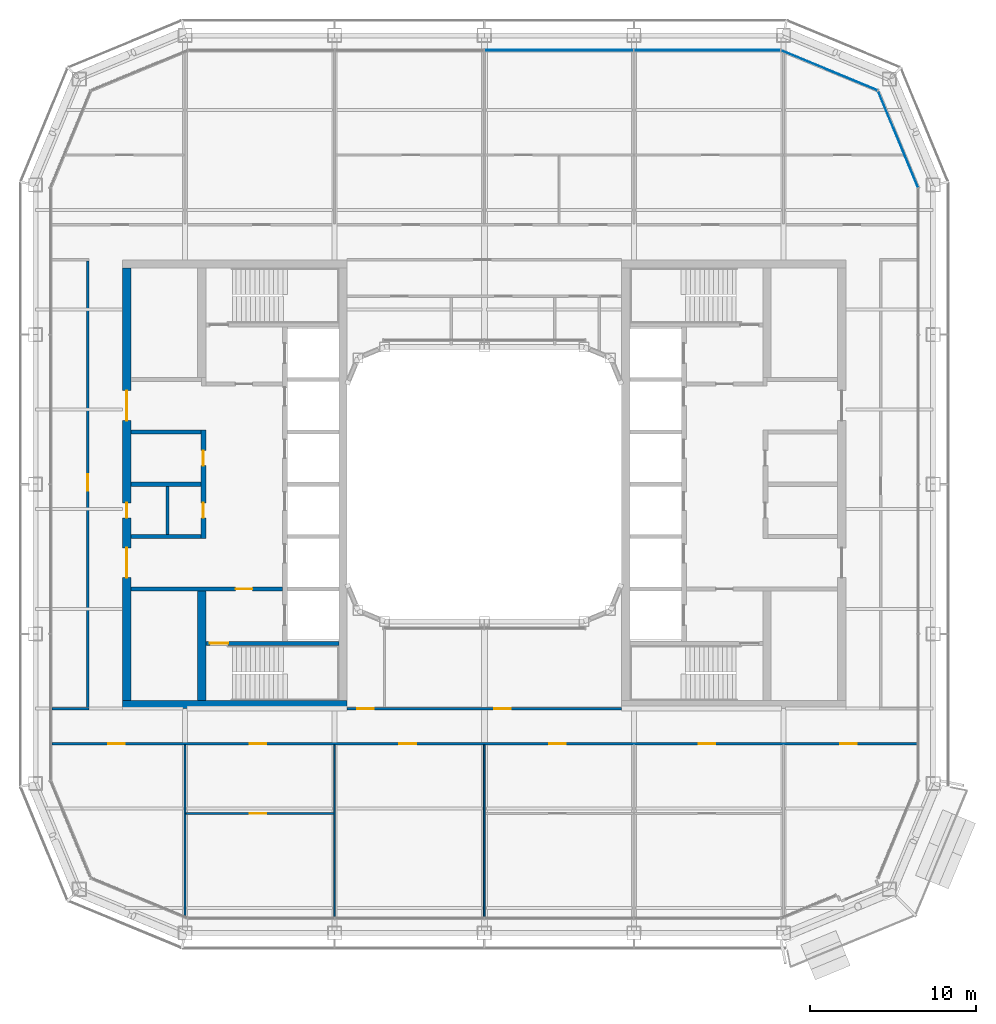
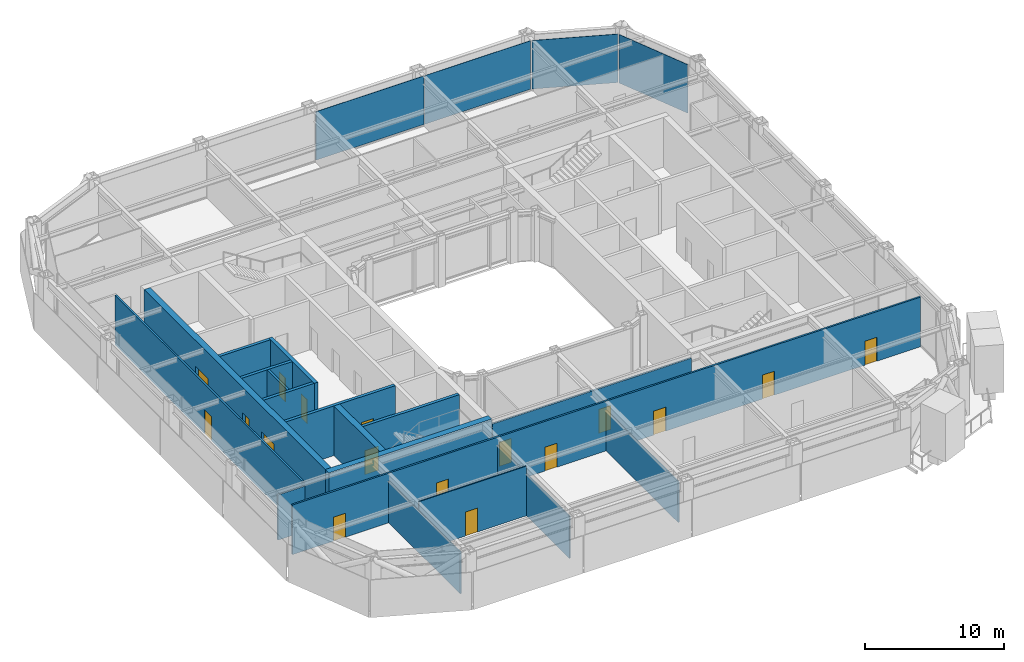
# One storey, part 12 of 22: 18 walls, 17 doors, 4 plates, 17 openings, 3 elements without a shape of their own.
"""IFC4 building model written with IfcOpenShell, lengths in metres."""

from ifc_helpers import new_model, si_unit, direction, frame, frame_2d, origin, origin_2d, place, context, subcontext, project, spatial, rectangle, extrude, material, layer, layer_set, type_object, element, fill, aggregate, save


model = new_model("IFC4")

# Units and contexts
model_context = context("Model", 3, precision=1e-05, world=origin(), true_north=direction((0.0, 1.0)))
body_context = subcontext(model_context, "Body", "Model", "MODEL_VIEW")
ifc_project = project(units=[si_unit("LENGTHUNIT", "METRE"), si_unit("AREAUNIT", "SQUARE_METRE"), si_unit("VOLUMEUNIT", "CUBIC_METRE"), si_unit("PLANEANGLEUNIT", "RADIAN"), si_unit("MASSUNIT", "GRAM", prefix="KILO")], contexts=[model_context])

# Site, building, storey
site_placement = place(None, origin())
site = spatial("IfcSite", under=ifc_project, at=site_placement, CompositionType="ELEMENT")
building_placement = place(site_placement, origin())
building = spatial("IfcBuilding", under=site, at=building_placement, Name="Siwar Civic Tower", CompositionType="ELEMENT")
storey_placement = place(building_placement, frame((0.0, 0.0, 201.699951171875)))
storey = spatial("IfcBuildingStorey", under=building, at=storey_placement, Name="L43", CompositionType="ELEMENT", Elevation=201.699951171875)

# Curtain wall, plates
ifc_material_1 = material(Name="Aluminium and glass", Category="aluminium")
ifc_layer_1 = layer(ifc_material_1, 0.179931640625)
ifc_layer_set_1 = layer_set([ifc_layer_1], Name="Aluminium and glass")
curtain_wall_type_1 = type_object("IfcCurtainWallType", Name="ENV-CW-C", PredefinedType="NOTDEFINED", material=ifc_layer_set_1)
curtain_wall_1_placement = place(storey_placement, origin())
curtain_wall_1 = element("IfcCurtainWall", 1, at=curtain_wall_1_placement, inside=storey, type_object=curtain_wall_type_1, Name="Curtain wall C N", PredefinedType="NOTDEFINED")
ifc_material_2 = material(Name="Glass clear laminated", Category="glass")
ifc_layer_2 = layer(ifc_material_2, 0.031982421875)
ifc_layer_set_2 = layer_set([ifc_layer_2], Name="Glass clear laminated")
plate_type_1 = type_object("IfcPlateType", Name="ENV-PANEL-C", PredefinedType="CURTAIN_PANEL", material=ifc_layer_set_2)
plate_1_placement = place(storey_placement, frame((13.410400390625, 26.10009765625, 0.10009765625), z_axis=(0.0, 0.0, 1.0), x_axis=(-1.0, 0.0, 0.0)))
plate_1 = element("IfcPlate", 2, at=plate_1_placement, type_object=plate_type_1, Name="Curtain panel C N 1", PredefinedType="CURTAIN_PANEL", context=body_context, shape_type="SweptSolid", body=[
    extrude(rectangle(XDim=8.760986328125, YDim=0.031982421875, at=origin_2d()), origin(), (0.0, 0.0, 1.0), 4.25),
])
plate_2_placement = place(storey_placement, frame((4.5, 26.10009765625, 0.10009765625), z_axis=(0.0, 0.0, 1.0), x_axis=(-1.0, 0.0, 0.0)))
plate_2 = element("IfcPlate", 3, at=plate_2_placement, type_object=plate_type_1, Name="Curtain panel C N 2", PredefinedType="CURTAIN_PANEL", context=body_context, shape_type="SweptSolid", body=[
    extrude(rectangle(XDim=8.93994140625, YDim=0.031982421875, at=origin_2d()), origin(), (0.0, 0.0, 1.0), 4.25),
])
aggregate(curtain_wall_1, [plate_1, plate_2])

# Curtain wall, plate
ifc_material_3 = material(Name="Aluminium clad insulated panel", Category="aluminium")
ifc_layer_3 = layer(ifc_material_3, 0.179931640625)
ifc_layer_set_3 = layer_set([ifc_layer_3], Name="Aluminium clad insulated panel")
curtain_wall_type_2 = type_object("IfcCurtainWallType", Name="ENV-CW-CX", PredefinedType="NOTDEFINED", material=ifc_layer_set_3)
curtain_wall_2_placement = place(storey_placement, origin())
curtain_wall_2 = element("IfcCurtainWall", 4, at=curtain_wall_2_placement, inside=storey, type_object=curtain_wall_type_2, Name="Curtain wall C NE1", PredefinedType="NOTDEFINED")
ifc_material_4 = material(Name="Aluminium clad insulated panel", Category="aluminium")
ifc_layer_4 = layer(ifc_material_4, 0.031982421875)
ifc_layer_set_4 = layer_set([ifc_layer_4], Name="Aluminium clad insulated panel")
plate_type_2 = type_object("IfcPlateType", Name="ENV-PANEL-CX", PredefinedType="CURTAIN_PANEL", material=ifc_layer_set_4)
plate_3_placement = place(storey_placement, frame((24.90185546875, 20.71337890625, 0.10009765625), z_axis=(0.0, 0.0, 1.0), x_axis=(-0.382683432365, 0.923879532511, 0.0)))
plate_3 = element("IfcPlate", 5, at=plate_3_placement, type_object=plate_type_2, Name="Curtain panel C NE1 1", PredefinedType="CURTAIN_PANEL", context=body_context, shape_type="SweptSolid", body=[
    extrude(rectangle(XDim=6.20166015625, YDim=0.031982421875, at=origin_2d()), origin(), (0.0, 0.0, 1.0), 4.25),
])
aggregate(curtain_wall_2, [plate_3])

curtain_wall_3_placement = place(storey_placement, origin())
curtain_wall_3 = element("IfcCurtainWall", 6, at=curtain_wall_3_placement, inside=storey, type_object=curtain_wall_type_2, Name="Curtain wall C NE2", PredefinedType="NOTDEFINED")
plate_4_placement = place(storey_placement, frame((20.78271484375, 24.873291015625, 0.10009765625), z_axis=(0.0, 0.0, 1.0), x_axis=(-0.923879532511, 0.382683432365, 0.0)))
plate_4 = element("IfcPlate", 7, at=plate_4_placement, type_object=plate_type_2, Name="Curtain panel C NE2 1", PredefinedType="CURTAIN_PANEL", context=body_context, shape_type="SweptSolid", body=[
    extrude(rectangle(XDim=6.20166015625, YDim=0.031982421875, at=origin_2d()), origin(), (0.0, 0.0, 1.0), 4.25),
])
aggregate(curtain_wall_3, [plate_4])

# Wall
ifc_material_5 = material(Name="Gypsum board on steel studs", Category="steel")
ifc_layer_5 = layer(ifc_material_5, 0.199951171875)
ifc_layer_set_5 = layer_set([ifc_layer_5], Name="Gypsum board on steel studs")
wall_type_1 = type_object("IfcWallType", Name="CORE-PARTITION-200", PredefinedType="PARTITIONING", material=ifc_layer_set_5)
wall_1_placement = place(storey_placement, frame((-19.050048828125, -3.02490234375, 0.0), z_axis=(0.0, 0.0, 1.0), x_axis=(0.0, 1.0, 0.0)))
element("IfcWall", 8, at=wall_1_placement, inside=storey, type_object=wall_type_1, Name="Core partition W", PredefinedType="PARTITIONING", context=body_context, shape_type="SweptSolid", body=[
    extrude(rectangle(XDim=2.89990234375, YDim=0.199951171875, at=frame_2d((1.449951171875, 0.0))), origin(), (0.0, 0.0, 1.0), 4.35009765625),
])

# Wall, opening, door
ifc_material_6 = material(Name="Concrete C60/75", Category="concrete")
ifc_layer_6 = layer(ifc_material_6, 0.25)
ifc_layer_set_6 = layer_set([ifc_layer_6], Name="Concrete C60/75")
wall_type_2 = type_object("IfcWallType", Name="CORE-WALL-RC250", PredefinedType="SHEAR", material=ifc_layer_set_6)
wall_2_placement = place(storey_placement, frame((-12.14990234375, -6.300048828125, 0.0), z_axis=(0.0, 0.0, 1.0), x_axis=(-1.0, 0.0, 0.0)))
wall_2 = element("IfcWall", 9, at=wall_2_placement, inside=storey, type_object=wall_type_2, Name="Core wall W", PredefinedType="SHEAR", context=body_context, shape_type="SweptSolid", body=[
    extrude(rectangle(XDim=9.10009765625, YDim=0.25, at=frame_2d((4.550048828125, 0.0))), origin(), (0.0, 0.0, 1.0), 4.35009765625),
])
opening_1_placement = place(wall_2_placement, frame((1.800048828125, 0.0, 0.0)))
opening_1 = element("IfcOpeningElement", 10, at=opening_1_placement, cuts=wall_2, Name="Opening L43-CW02", PredefinedType="OPENING", context=body_context, shape_type="SweptSolid", body=[
    extrude(rectangle(XDim=1.0, YDim=2.10009765625, at=frame_2d((0.5, 1.050048828125))), frame((0.0, 0.135009765625, 0.0), z_axis=(0.0, -1.0, 0.0), x_axis=(1.0, 0.0, 0.0)), (0.0, 0.0, 1.0), 0.27001953125),
])
ifc_material_7 = material(Name="Steel door leaf", Category="steel")
door_type_1 = type_object("IfcDoorType", Name="CORE-DOOR-FD30S", OperationType="SINGLE_SWING_LEFT", PredefinedType="DOOR", material=ifc_material_7)
door_1_placement = place(opening_1_placement, origin())
door_1 = element("IfcDoor", 11, at=door_1_placement, inside=storey, type_object=door_type_1, Name="Service lobby door L43-CW02", OperationType="SINGLE_SWING_RIGHT", OverallHeight=2.10009765625, OverallWidth=1.0, PredefinedType="DOOR", context=body_context, shape_type="SweptSolid", body=[
    extrude(rectangle(XDim=1.0, YDim=2.10009765625, at=frame_2d((0.5, 1.050048828125))), frame((0.0, 0.02490234375, 0.0), z_axis=(0.0, -1.0, 0.0), x_axis=(1.0, 0.0, 0.0)), (0.0, 0.0, 1.0), 0.050048828125),
])
fill(opening_1, door_1)

# Walls
for number, where, z_axis, x_axis, name in (
    (12, (-17.050048828125, 0.0, 0.0), (0.0, 0.0, 1.0), (-1.0, 0.0, 0.0), "Core wall W"),
    (13, (-17.050048828125, 3.14990234375, 0.0), (0.0, 0.0, 1.0), (-1.0, 0.0, 0.0), "Core wall W"),
    (14, (-17.050048828125, -3.14990234375, 0.0), (0.0, 0.0, 1.0), (-1.0, 0.0, 0.0), "Core wall W"),
):
    element("IfcWall", number, at=place(storey_placement, frame(where, z_axis=z_axis, x_axis=x_axis)), inside=storey, type_object=wall_type_2, Name=name, PredefinedType="SHEAR", context=body_context, shape_type="SweptSolid", body=[
        extrude(rectangle(XDim=4.199951171875, YDim=0.25, at=frame_2d((2.10009765625, 0.0))), origin(), (0.0, 0.0, 1.0), 4.35009765625),
    ])

# Wall, opening, door
wall_3_placement = place(storey_placement, frame((-8.75, -9.574951171875, 0.0), z_axis=(0.0, 0.0, 1.0), x_axis=(-1.0, 0.0, 0.0)))
wall_3 = element("IfcWall", 15, at=wall_3_placement, inside=storey, type_object=wall_type_2, Name="Core wall W", PredefinedType="SHEAR", context=body_context, shape_type="SweptSolid", body=[
    extrude(rectangle(XDim=8.0, YDim=0.25, at=frame_2d((4.0, 0.0))), origin(), (0.0, 0.0, 1.0), 4.35009765625),
])
opening_2_placement = place(wall_3_placement, frame((6.64990234375, 0.0, 0.0)))
opening_2 = element("IfcOpeningElement", 16, at=opening_2_placement, cuts=wall_3, Name="Opening L43-CW04", PredefinedType="OPENING", context=body_context, shape_type="SweptSolid", body=[
    extrude(rectangle(XDim=1.10009765625, YDim=2.10009765625, at=frame_2d((0.550048828125, 1.050048828125))), frame((0.0, 0.135009765625, 0.0), z_axis=(0.0, -1.0, 0.0), x_axis=(1.0, 0.0, 0.0)), (0.0, 0.0, 1.0), 0.27001953125),
])
ifc_material_8 = material(Name="Steel door leaf", Category="steel")
door_type_2 = type_object("IfcDoorType", Name="CORE-DOOR-FD60S", OperationType="SINGLE_SWING_LEFT", PredefinedType="DOOR", material=ifc_material_8)
door_2_placement = place(opening_2_placement, origin())
door_2 = element("IfcDoor", 17, at=door_2_placement, inside=storey, type_object=door_type_2, Name="Stair door L43-CW04", OperationType="SINGLE_SWING_LEFT", OverallHeight=2.10009765625, OverallWidth=1.10009765625, PredefinedType="DOOR", context=body_context, shape_type="SweptSolid", body=[
    extrude(rectangle(XDim=1.10009765625, YDim=2.10009765625, at=frame_2d((0.550048828125, 1.050048828125))), frame((0.0, 0.02490234375, 0.0), z_axis=(0.0, -1.0, 0.0), x_axis=(1.0, 0.0, 0.0)), (0.0, 0.0, 1.0), 0.050048828125),
])
fill(opening_2, door_2)

# Wall, openings, doors
ifc_material_9 = material(Name="Concrete C60/75", Category="concrete")
ifc_layer_7 = layer(ifc_material_9, 0.300048828125)
ifc_layer_set_7 = layer_set([ifc_layer_7], Name="Concrete C60/75")
wall_type_3 = type_object("IfcWallType", Name="CORE-WALL-RC300", PredefinedType="SHEAR", material=ifc_layer_set_7)
wall_4_placement = place(storey_placement, frame((-16.89990234375, -3.27490234375, 0.0), z_axis=(0.0, 0.0, 1.0), x_axis=(0.0, 1.0, 0.0)))
wall_4 = element("IfcWall", 18, at=wall_4_placement, inside=storey, type_object=wall_type_3, Name="Core wall W", PredefinedType="SHEAR", context=body_context, shape_type="SweptSolid", body=[
    extrude(rectangle(XDim=6.5498046875, YDim=0.300048828125, at=frame_2d((3.27490234375, 0.0))), origin(), (0.0, 0.0, 1.0), 4.35009765625),
])
opening_3_placement = place(wall_4_placement, frame((1.25, 0.0, 0.0)))
opening_3 = element("IfcOpeningElement", 19, at=opening_3_placement, cuts=wall_4, Name="Opening L43-CW13", PredefinedType="OPENING", context=body_context, shape_type="SweptSolid", body=[
    extrude(rectangle(XDim=0.89990234375, YDim=2.10009765625, at=frame_2d((0.449951171875, 1.050048828125))), frame((0.0, 0.16015625, 0.0), z_axis=(0.0, -1.0, 0.0), x_axis=(1.0, 0.0, 0.0)), (0.0, 0.0, 1.0), 0.320068359375),
])
opening_4_placement = place(wall_4_placement, frame((4.39990234375, 0.0, 0.0)))
opening_4 = element("IfcOpeningElement", 20, at=opening_4_placement, cuts=wall_4, Name="Opening L43-CW15", PredefinedType="OPENING", context=body_context, shape_type="SweptSolid", body=[
    extrude(rectangle(XDim=0.89990234375, YDim=2.10009765625, at=frame_2d((0.449951171875, 1.050048828125))), frame((0.0, 0.16015625, 0.0), z_axis=(0.0, -1.0, 0.0), x_axis=(1.0, 0.0, 0.0)), (0.0, 0.0, 1.0), 0.320068359375),
])
ifc_material_10 = material(Name="Steel door leaf", Category="steel")
door_type_3 = type_object("IfcDoorType", Name="CORE-DOOR-ROOM", OperationType="SINGLE_SWING_LEFT", PredefinedType="DOOR", material=ifc_material_10)
door_3_placement = place(opening_3_placement, origin())
door_3 = element("IfcDoor", 21, at=door_3_placement, inside=storey, type_object=door_type_3, Name="Core room door L43-CW13", OperationType="SINGLE_SWING_LEFT", OverallHeight=2.10009765625, OverallWidth=0.89990234375, PredefinedType="DOOR", context=body_context, shape_type="SweptSolid", body=[
    extrude(rectangle(XDim=0.89990234375, YDim=2.10009765625, at=frame_2d((0.449951171875, 1.050048828125))), frame((0.0, 0.02490234375, 0.0), z_axis=(0.0, -1.0, 0.0), x_axis=(1.0, 0.0, 0.0)), (0.0, 0.0, 1.0), 0.050048828125),
])
fill(opening_3, door_3)
door_4_placement = place(opening_4_placement, origin())
door_4 = element("IfcDoor", 22, at=door_4_placement, inside=storey, type_object=door_type_3, Name="Core room door L43-CW15", OperationType="SINGLE_SWING_RIGHT", OverallHeight=2.10009765625, OverallWidth=0.89990234375, PredefinedType="DOOR", context=body_context, shape_type="SweptSolid", body=[
    extrude(rectangle(XDim=0.89990234375, YDim=2.10009765625, at=frame_2d((0.449951171875, 1.050048828125))), frame((0.0, 0.02490234375, 0.0), z_axis=(0.0, -1.0, 0.0), x_axis=(1.0, 0.0, 0.0)), (0.0, 0.0, 1.0), 0.050048828125),
])
fill(opening_4, door_4)

ifc_material_11 = material(Name="Concrete C60/75", Category="concrete")
ifc_layer_8 = layer(ifc_material_11, 0.5)
ifc_layer_set_8 = layer_set([ifc_layer_8], Name="Concrete C60/75")
wall_type_4 = type_object("IfcWallType", Name="CORE-WALL-RC500", PredefinedType="SHEAR", material=ifc_layer_set_8)
wall_5_placement = place(storey_placement, frame((-21.5, -13.0, 0.0), z_axis=(0.0, 0.0, 1.0), x_axis=(0.0, 1.0, 0.0)))
wall_5 = element("IfcWall", 23, at=wall_5_placement, inside=storey, type_object=wall_type_4, Name="Core wall W", PredefinedType="SHEAR", context=body_context, shape_type="SweptSolid", body=[
    extrude(rectangle(XDim=26.0, YDim=0.5, at=frame_2d((13.0, 0.0))), origin(), (0.0, 0.0, 1.0), 4.35009765625),
])
opening_5_placement = place(wall_5_placement, frame((16.824951171875, 0.0, 0.0)))
opening_5 = element("IfcOpeningElement", 24, at=opening_5_placement, cuts=wall_5, Name="Opening L43-CW05", PredefinedType="OPENING", context=body_context, shape_type="SweptSolid", body=[
    extrude(rectangle(XDim=1.800048828125, YDim=2.10009765625, at=frame_2d((0.89990234375, 1.050048828125))), frame((0.0, 0.260009765625, 0.0), z_axis=(0.0, -1.0, 0.0), x_axis=(1.0, 0.0, 0.0)), (0.0, 0.0, 1.0), 0.52001953125),
])
opening_6_placement = place(wall_5_placement, frame((7.375, 0.0, 0.0)))
opening_6 = element("IfcOpeningElement", 25, at=opening_6_placement, cuts=wall_5, Name="Opening L43-CW06", PredefinedType="OPENING", context=body_context, shape_type="SweptSolid", body=[
    extrude(rectangle(XDim=1.800048828125, YDim=2.10009765625, at=frame_2d((0.89990234375, 1.050048828125))), frame((0.0, 0.260009765625, 0.0), z_axis=(0.0, -1.0, 0.0), x_axis=(1.0, 0.0, 0.0)), (0.0, 0.0, 1.0), 0.52001953125),
])
opening_7_placement = place(wall_5_placement, frame((10.97509765625, 0.0, 0.0)))
opening_7 = element("IfcOpeningElement", 26, at=opening_7_placement, cuts=wall_5, Name="Opening L43-CW14", PredefinedType="OPENING", context=body_context, shape_type="SweptSolid", body=[
    extrude(rectangle(XDim=0.89990234375, YDim=2.10009765625, at=frame_2d((0.449951171875, 1.050048828125))), frame((0.0, 0.260009765625, 0.0), z_axis=(0.0, -1.0, 0.0), x_axis=(1.0, 0.0, 0.0)), (0.0, 0.0, 1.0), 0.52001953125),
])
ifc_material_12 = material(Name="Steel door leaf", Category="steel")
door_type_4 = type_object("IfcDoorType", Name="CORE-DOOR-PORT", OperationType="DOUBLE_DOOR_DOUBLE_SWING", PredefinedType="DOOR", material=ifc_material_12)
door_5_placement = place(opening_5_placement, origin())
door_5 = element("IfcDoor", 27, at=door_5_placement, inside=storey, type_object=door_type_4, Name="Core entrance door L43-CW05", OperationType="DOUBLE_DOOR_DOUBLE_SWING", OverallHeight=2.10009765625, OverallWidth=1.800048828125, PredefinedType="DOOR", context=body_context, shape_type="SweptSolid", body=[
    extrude(rectangle(XDim=1.800048828125, YDim=2.10009765625, at=frame_2d((0.89990234375, 1.050048828125))), frame((0.0, 0.02490234375, 0.0), z_axis=(0.0, -1.0, 0.0), x_axis=(1.0, 0.0, 0.0)), (0.0, 0.0, 1.0), 0.050048828125),
])
fill(opening_5, door_5)
door_6_placement = place(opening_6_placement, origin())
door_6 = element("IfcDoor", 28, at=door_6_placement, inside=storey, type_object=door_type_4, Name="Core entrance door L43-CW06", OperationType="DOUBLE_DOOR_DOUBLE_SWING", OverallHeight=2.10009765625, OverallWidth=1.800048828125, PredefinedType="DOOR", context=body_context, shape_type="SweptSolid", body=[
    extrude(rectangle(XDim=1.800048828125, YDim=2.10009765625, at=frame_2d((0.89990234375, 1.050048828125))), frame((0.0, 0.02490234375, 0.0), z_axis=(0.0, -1.0, 0.0), x_axis=(1.0, 0.0, 0.0)), (0.0, 0.0, 1.0), 0.050048828125),
])
fill(opening_6, door_6)
door_7_placement = place(opening_7_placement, origin())
door_7 = element("IfcDoor", 29, at=door_7_placement, inside=storey, type_object=door_type_3, Name="Core room door L43-CW14", OperationType="SINGLE_SWING_RIGHT", OverallHeight=2.10009765625, OverallWidth=0.89990234375, PredefinedType="DOOR", context=body_context, shape_type="SweptSolid", body=[
    extrude(rectangle(XDim=0.89990234375, YDim=2.10009765625, at=frame_2d((0.449951171875, 1.050048828125))), frame((0.0, 0.02490234375, 0.0), z_axis=(0.0, -1.0, 0.0), x_axis=(1.0, 0.0, 0.0)), (0.0, 0.0, 1.0), 0.050048828125),
])
fill(opening_7, door_7)

# Walls
wall_6_placement = place(storey_placement, frame((-17.0, -13.0, 0.0), z_axis=(0.0, 0.0, 1.0), x_axis=(0.0, 1.0, 0.0)))
element("IfcWall", 30, at=wall_6_placement, inside=storey, type_object=wall_type_4, Name="Core wall W", PredefinedType="SHEAR", context=body_context, shape_type="SweptSolid", body=[
    extrude(rectangle(XDim=6.574951171875, YDim=0.5, at=frame_2d((3.28759765625, 0.0))), origin(), (0.0, 0.0, 1.0), 4.35009765625),
])
wall_7_placement = place(storey_placement, frame((-8.25, -13.25, 0.0), z_axis=(0.0, 0.0, 1.0), x_axis=(-1.0, 0.0, 0.0)))
element("IfcWall", 31, at=wall_7_placement, inside=storey, type_object=wall_type_4, Name="Core wall W", PredefinedType="SHEAR", context=body_context, shape_type="SweptSolid", body=[
    extrude(rectangle(XDim=13.5, YDim=0.5, at=frame_2d((6.75, 0.0))), origin(), (0.0, 0.0, 1.0), 4.35009765625),
])

# Wall, openings, doors
ifc_material_13 = material(Name="Gypsum board on steel studs", Category="steel")
ifc_layer_9 = layer(ifc_material_13, 0.14990234375)
ifc_layer_set_9 = layer_set([ifc_layer_9], Name="Gypsum board on steel studs")
wall_type_5 = type_object("IfcWallType", Name="CORRIDOR PARTITION 150 EI 30", PredefinedType="PARTITIONING", material=ifc_layer_set_9)
wall_8_placement = place(storey_placement, frame((-26.010009765625, -15.60009765625, 0.0), z_axis=(0.0, 0.0, 1.0), x_axis=(1.0, 0.0, 0.0)))
wall_8 = element("IfcWall", 32, at=wall_8_placement, inside=storey, type_object=wall_type_5, Name="L43/wall/P03", PredefinedType="PARTITIONING", context=body_context, shape_type="SweptSolid", body=[
    extrude(rectangle(XDim=52.02001953125, YDim=0.14990234375, at=frame_2d((26.010009765625, 0.0))), origin(), (0.0, 0.0, 1.0), 4.35009765625),
])
opening_8_placement = place(wall_8_placement, frame((11.909912109375, 0.0, 0.0)))
opening_8 = element("IfcOpeningElement", 33, at=opening_8_placement, cuts=wall_8, Name="Opening D1", PredefinedType="OPENING", context=body_context, shape_type="SweptSolid", body=[
    extrude(rectangle(XDim=1.0, YDim=2.10009765625, at=frame_2d((0.5, 1.050048828125))), frame((0.0, 0.0849609375, 0.0), z_axis=(0.0, -1.0, 0.0), x_axis=(1.0, 0.0, 0.0)), (0.0, 0.0, 1.0), 0.169921875),
])
opening_9_placement = place(wall_8_placement, frame((20.909912109375, 0.0, 0.0)))
opening_9 = element("IfcOpeningElement", 34, at=opening_9_placement, cuts=wall_8, Name="Opening D1", PredefinedType="OPENING", context=body_context, shape_type="SweptSolid", body=[
    extrude(rectangle(XDim=1.0, YDim=2.10009765625, at=frame_2d((0.5, 1.050048828125))), frame((0.0, 0.0849609375, 0.0), z_axis=(0.0, -1.0, 0.0), x_axis=(1.0, 0.0, 0.0)), (0.0, 0.0, 1.0), 0.169921875),
])
opening_10_placement = place(wall_8_placement, frame((29.909912109375, 0.0, 0.0)))
opening_10 = element("IfcOpeningElement", 35, at=opening_10_placement, cuts=wall_8, Name="Opening D1", PredefinedType="OPENING", context=body_context, shape_type="SweptSolid", body=[
    extrude(rectangle(XDim=1.0, YDim=2.10009765625, at=frame_2d((0.5, 1.050048828125))), frame((0.0, 0.0849609375, 0.0), z_axis=(0.0, -1.0, 0.0), x_axis=(1.0, 0.0, 0.0)), (0.0, 0.0, 1.0), 0.169921875),
])
opening_11_placement = place(wall_8_placement, frame((38.909912109375, 0.0, 0.0)))
opening_11 = element("IfcOpeningElement", 36, at=opening_11_placement, cuts=wall_8, Name="Opening D1", PredefinedType="OPENING", context=body_context, shape_type="SweptSolid", body=[
    extrude(rectangle(XDim=1.0, YDim=2.10009765625, at=frame_2d((0.5, 1.050048828125))), frame((0.0, 0.0849609375, 0.0), z_axis=(0.0, -1.0, 0.0), x_axis=(1.0, 0.0, 0.0)), (0.0, 0.0, 1.0), 0.169921875),
])
opening_12_placement = place(wall_8_placement, frame((3.39990234375, 0.0, 0.0)))
opening_12 = element("IfcOpeningElement", 37, at=opening_12_placement, cuts=wall_8, Name="Opening D1", PredefinedType="OPENING", context=body_context, shape_type="SweptSolid", body=[
    extrude(rectangle(XDim=1.0, YDim=2.10009765625, at=frame_2d((0.5, 1.050048828125))), frame((0.0, 0.0849609375, 0.0), z_axis=(0.0, -1.0, 0.0), x_axis=(1.0, 0.0, 0.0)), (0.0, 0.0, 1.0), 0.169921875),
])
opening_13_placement = place(wall_8_placement, frame((47.409912109375, 0.0, 0.0)))
opening_13 = element("IfcOpeningElement", 38, at=opening_13_placement, cuts=wall_8, Name="Opening D1", PredefinedType="OPENING", context=body_context, shape_type="SweptSolid", body=[
    extrude(rectangle(XDim=1.0, YDim=2.10009765625, at=frame_2d((0.5, 1.050048828125))), frame((0.0, 0.0849609375, 0.0), z_axis=(0.0, -1.0, 0.0), x_axis=(1.0, 0.0, 0.0)), (0.0, 0.0, 1.0), 0.169921875),
])
ifc_material_14 = material(Name="Timber, painted", Category="wood")
door_type_5 = type_object("IfcDoorType", Name="DOOR 1000 X 2100 FD30", OperationType="SINGLE_SWING_LEFT", PredefinedType="DOOR", material=ifc_material_14)
door_8_placement = place(opening_8_placement, origin())
door_8 = element("IfcDoor", 39, at=door_8_placement, inside=storey, type_object=door_type_5, Name="L43-D09", OperationType="SINGLE_SWING_LEFT", OverallHeight=2.10009765625, OverallWidth=1.0, PredefinedType="DOOR", context=body_context, shape_type="SweptSolid", body=[
    extrude(rectangle(XDim=1.0, YDim=2.10009765625, at=frame_2d((0.5, 1.050048828125))), frame((0.0, 0.02490234375, 0.0), z_axis=(0.0, -1.0, 0.0), x_axis=(1.0, 0.0, 0.0)), (0.0, 0.0, 1.0), 0.050048828125),
])
fill(opening_8, door_8)
door_9_placement = place(opening_9_placement, origin())
door_9 = element("IfcDoor", 40, at=door_9_placement, inside=storey, type_object=door_type_5, Name="L43-D11", OperationType="SINGLE_SWING_LEFT", OverallHeight=2.10009765625, OverallWidth=1.0, PredefinedType="DOOR", context=body_context, shape_type="SweptSolid", body=[
    extrude(rectangle(XDim=1.0, YDim=2.10009765625, at=frame_2d((0.5, 1.050048828125))), frame((0.0, 0.02490234375, 0.0), z_axis=(0.0, -1.0, 0.0), x_axis=(1.0, 0.0, 0.0)), (0.0, 0.0, 1.0), 0.050048828125),
])
fill(opening_9, door_9)
door_10_placement = place(opening_10_placement, origin())
door_10 = element("IfcDoor", 41, at=door_10_placement, inside=storey, type_object=door_type_5, Name="L43-D12", OperationType="SINGLE_SWING_RIGHT", OverallHeight=2.10009765625, OverallWidth=1.0, PredefinedType="DOOR", context=body_context, shape_type="SweptSolid", body=[
    extrude(rectangle(XDim=1.0, YDim=2.10009765625, at=frame_2d((0.5, 1.050048828125))), frame((0.0, 0.02490234375, 0.0), z_axis=(0.0, -1.0, 0.0), x_axis=(1.0, 0.0, 0.0)), (0.0, 0.0, 1.0), 0.050048828125),
])
fill(opening_10, door_10)
door_11_placement = place(opening_11_placement, origin())
door_11 = element("IfcDoor", 42, at=door_11_placement, inside=storey, type_object=door_type_5, Name="L43-D14", OperationType="SINGLE_SWING_RIGHT", OverallHeight=2.10009765625, OverallWidth=1.0, PredefinedType="DOOR", context=body_context, shape_type="SweptSolid", body=[
    extrude(rectangle(XDim=1.0, YDim=2.10009765625, at=frame_2d((0.5, 1.050048828125))), frame((0.0, 0.02490234375, 0.0), z_axis=(0.0, -1.0, 0.0), x_axis=(1.0, 0.0, 0.0)), (0.0, 0.0, 1.0), 0.050048828125),
])
fill(opening_11, door_11)
door_12_placement = place(opening_12_placement, origin())
door_12 = element("IfcDoor", 43, at=door_12_placement, inside=storey, type_object=door_type_5, Name="L43-D20", OperationType="SINGLE_SWING_RIGHT", OverallHeight=2.10009765625, OverallWidth=1.0, PredefinedType="DOOR", context=body_context, shape_type="SweptSolid", body=[
    extrude(rectangle(XDim=1.0, YDim=2.10009765625, at=frame_2d((0.5, 1.050048828125))), frame((0.0, 0.02490234375, 0.0), z_axis=(0.0, -1.0, 0.0), x_axis=(1.0, 0.0, 0.0)), (0.0, 0.0, 1.0), 0.050048828125),
])
fill(opening_12, door_12)
door_13_placement = place(opening_13_placement, origin())
door_13 = element("IfcDoor", 44, at=door_13_placement, inside=storey, type_object=door_type_5, Name="L43-D21", OperationType="SINGLE_SWING_LEFT", OverallHeight=2.10009765625, OverallWidth=1.0, PredefinedType="DOOR", context=body_context, shape_type="SweptSolid", body=[
    extrude(rectangle(XDim=1.0, YDim=2.10009765625, at=frame_2d((0.5, 1.050048828125))), frame((0.0, 0.02490234375, 0.0), z_axis=(0.0, -1.0, 0.0), x_axis=(1.0, 0.0, 0.0)), (0.0, 0.0, 1.0), 0.050048828125),
])
fill(opening_13, door_13)

# Wall
wall_9_placement = place(storey_placement, frame((-26.010009765625, -13.5, 0.0), z_axis=(0.0, 0.0, 1.0), x_axis=(1.0, 0.0, 0.0)))
element("IfcWall", 45, at=wall_9_placement, inside=storey, type_object=wall_type_5, Name="L43/wall/P04", PredefinedType="PARTITIONING", context=body_context, shape_type="SweptSolid", body=[
    extrude(rectangle(XDim=2.235107421875, YDim=0.14990234375, at=frame_2d((1.11767578125, 0.0))), origin(), (0.0, 0.0, 1.0), 3.949951171875),
])

# Wall, openings, doors
wall_10_placement = place(storey_placement, frame((-8.25, -13.5, 0.0), z_axis=(0.0, 0.0, 1.0), x_axis=(1.0, 0.0, 0.0)))
wall_10 = element("IfcWall", 46, at=wall_10_placement, inside=storey, type_object=wall_type_5, Name="L43/wall/P05", PredefinedType="PARTITIONING", context=body_context, shape_type="SweptSolid", body=[
    extrude(rectangle(XDim=16.5, YDim=0.14990234375, at=frame_2d((8.25, 0.0))), origin(), (0.0, 0.0, 1.0), 3.949951171875),
])
opening_14_placement = place(wall_10_placement, frame((0.60009765625, 0.0, 0.0)))
opening_14 = element("IfcOpeningElement", 47, at=opening_14_placement, cuts=wall_10, Name="Opening D3", PredefinedType="OPENING", context=body_context, shape_type="SweptSolid", body=[
    extrude(rectangle(XDim=1.0, YDim=2.10009765625, at=frame_2d((0.5, 1.050048828125))), frame((0.0, 0.0849609375, 0.0), z_axis=(0.0, -1.0, 0.0), x_axis=(1.0, 0.0, 0.0)), (0.0, 0.0, 1.0), 0.169921875),
])
opening_15_placement = place(wall_10_placement, frame((8.85009765625, 0.0, 0.0)))
opening_15 = element("IfcOpeningElement", 48, at=opening_15_placement, cuts=wall_10, Name="Opening D1", PredefinedType="OPENING", context=body_context, shape_type="SweptSolid", body=[
    extrude(rectangle(XDim=1.0, YDim=2.10009765625, at=frame_2d((0.5, 1.050048828125))), frame((0.0, 0.0849609375, 0.0), z_axis=(0.0, -1.0, 0.0), x_axis=(1.0, 0.0, 0.0)), (0.0, 0.0, 1.0), 0.169921875),
])
door_14_placement = place(opening_15_placement, origin())
door_14 = element("IfcDoor", 49, at=door_14_placement, inside=storey, type_object=door_type_5, Name="L43-D30", OperationType="SINGLE_SWING_RIGHT", OverallHeight=2.10009765625, OverallWidth=1.0, PredefinedType="DOOR", context=body_context, shape_type="SweptSolid", body=[
    extrude(rectangle(XDim=1.0, YDim=2.10009765625, at=frame_2d((0.5, 1.050048828125))), frame((0.0, 0.02490234375, 0.0), z_axis=(0.0, -1.0, 0.0), x_axis=(1.0, 0.0, 0.0)), (0.0, 0.0, 1.0), 0.050048828125),
])
fill(opening_15, door_14)
ifc_material_15 = material(Name="Timber, painted", Category="wood")
door_type_6 = type_object("IfcDoorType", Name="DOOR 1000 X 2100 WC", OperationType="SINGLE_SWING_LEFT", PredefinedType="DOOR", material=ifc_material_15)
door_15_placement = place(opening_14_placement, origin())
door_15 = element("IfcDoor", 50, at=door_15_placement, inside=storey, type_object=door_type_6, Name="L43-D29", OperationType="SINGLE_SWING_LEFT", OverallHeight=2.10009765625, OverallWidth=1.0, PredefinedType="DOOR", context=body_context, shape_type="SweptSolid", body=[
    extrude(rectangle(XDim=1.0, YDim=2.10009765625, at=frame_2d((0.5, 1.050048828125))), frame((0.0, 0.02490234375, 0.0), z_axis=(0.0, -1.0, 0.0), x_axis=(1.0, 0.0, 0.0)), (0.0, 0.0, 1.0), 0.050048828125),
])
fill(opening_14, door_15)

# Wall, opening, door
wall_11_placement = place(storey_placement, frame((-23.85009765625, -13.425048828125, 0.0), z_axis=(0.0, 0.0, 1.0), x_axis=(0.0, 1.0, 0.0)))
wall_11 = element("IfcWall", 51, at=wall_11_placement, inside=storey, type_object=wall_type_5, Name="L43/wall/P15", PredefinedType="PARTITIONING", context=body_context, shape_type="SweptSolid", body=[
    extrude(rectangle(XDim=26.85009765625, YDim=0.14990234375, at=frame_2d((13.425048828125, 0.0))), origin(), (0.0, 0.0, 1.0), 4.35009765625),
])
opening_16_placement = place(wall_11_placement, frame((13.02490234375, 0.0, 0.0)))
opening_16 = element("IfcOpeningElement", 52, at=opening_16_placement, cuts=wall_11, Name="Opening D1", PredefinedType="OPENING", context=body_context, shape_type="SweptSolid", body=[
    extrude(rectangle(XDim=1.0, YDim=2.10009765625, at=frame_2d((0.5, 1.050048828125))), frame((0.0, 0.0849609375, 0.0), z_axis=(0.0, -1.0, 0.0), x_axis=(1.0, 0.0, 0.0)), (0.0, 0.0, 1.0), 0.169921875),
])
door_16_placement = place(opening_16_placement, origin())
door_16 = element("IfcDoor", 53, at=door_16_placement, inside=storey, type_object=door_type_5, Name="L43-D22", OperationType="SINGLE_SWING_RIGHT", OverallHeight=2.10009765625, OverallWidth=1.0, PredefinedType="DOOR", context=body_context, shape_type="SweptSolid", body=[
    extrude(rectangle(XDim=1.0, YDim=2.10009765625, at=frame_2d((0.5, 1.050048828125))), frame((0.0, 0.02490234375, 0.0), z_axis=(0.0, -1.0, 0.0), x_axis=(1.0, 0.0, 0.0)), (0.0, 0.0, 1.0), 0.050048828125),
])
fill(opening_16, door_16)

ifc_material_16 = material(Name="Gypsum board on steel studs", Category="steel")
ifc_layer_10 = layer(ifc_material_16, 0.10009765625)
ifc_layer_set_10 = layer_set([ifc_layer_10], Name="Gypsum board on steel studs")
wall_type_6 = type_object("IfcWallType", Name="PARTITION 100 GYPSUM", PredefinedType="PARTITIONING", material=ifc_layer_set_10)
wall_12_placement = place(storey_placement, frame((-17.949951171875, -19.800048828125, 0.0), z_axis=(0.0, 0.0, 1.0), x_axis=(1.0, 0.0, 0.0)))
wall_12 = element("IfcWall", 54, at=wall_12_placement, inside=storey, type_object=wall_type_6, Name="L43/wall/P01", PredefinedType="PARTITIONING", context=body_context, shape_type="SweptSolid", body=[
    extrude(rectangle(XDim=8.89990234375, YDim=0.10009765625, at=frame_2d((4.449951171875, 0.0))), origin(), (0.0, 0.0, 1.0), 4.35009765625),
])
opening_17_placement = place(wall_12_placement, frame((3.85009765625, 0.0, 0.0)))
opening_17 = element("IfcOpeningElement", 55, at=opening_17_placement, cuts=wall_12, Name="Opening D2", PredefinedType="OPENING", context=body_context, shape_type="SweptSolid", body=[
    extrude(rectangle(XDim=1.0, YDim=2.10009765625, at=frame_2d((0.5, 1.050048828125))), frame((0.0, 0.06005859375, 0.0), z_axis=(0.0, -1.0, 0.0), x_axis=(1.0, 0.0, 0.0)), (0.0, 0.0, 1.0), 0.1201171875),
])
ifc_material_17 = material(Name="Timber, painted", Category="wood")
door_type_7 = type_object("IfcDoorType", Name="DOOR 1000 X 2100", OperationType="SINGLE_SWING_LEFT", PredefinedType="DOOR", material=ifc_material_17)
door_17_placement = place(opening_17_placement, origin())
door_17 = element("IfcDoor", 56, at=door_17_placement, inside=storey, type_object=door_type_7, Name="L43-D10", OperationType="SINGLE_SWING_RIGHT", OverallHeight=2.10009765625, OverallWidth=1.0, PredefinedType="DOOR", context=body_context, shape_type="SweptSolid", body=[
    extrude(rectangle(XDim=1.0, YDim=2.10009765625, at=frame_2d((0.5, 1.050048828125))), frame((0.0, 0.02490234375, 0.0), z_axis=(0.0, -1.0, 0.0), x_axis=(1.0, 0.0, 0.0)), (0.0, 0.0, 1.0), 0.050048828125),
])
fill(opening_17, door_17)

# Walls
wall_13_placement = place(storey_placement, frame((-18.0, -25.927978515625, 0.0), z_axis=(0.0, 0.0, 1.0), x_axis=(0.0, 1.0, 0.0)))
element("IfcWall", 57, at=wall_13_placement, inside=storey, type_object=wall_type_6, Name="L43/wall/P16", PredefinedType="PARTITIONING", context=body_context, shape_type="SweptSolid", body=[
    extrude(rectangle(XDim=10.2529296875, YDim=0.10009765625, at=frame_2d((5.12646484375, 0.0))), origin(), (0.0, 0.0, 1.0), 3.650146484375),
])
wall_14_placement = place(storey_placement, frame((-9.0, -26.010009765625, 0.0), z_axis=(0.0, 0.0, 1.0), x_axis=(0.0, 1.0, 0.0)))
element("IfcWall", 58, at=wall_14_placement, inside=storey, type_object=wall_type_6, Name="L43/wall/P18", PredefinedType="PARTITIONING", context=body_context, shape_type="SweptSolid", body=[
    extrude(rectangle(XDim=10.3349609375, YDim=0.10009765625, at=frame_2d((5.16748046875, 0.0))), origin(), (0.0, 0.0, 1.0), 3.650146484375),
])
wall_15_placement = place(storey_placement, frame((0.0, -26.010009765625, 0.0), z_axis=(0.0, 0.0, 1.0), x_axis=(0.0, 1.0, 0.0)))
element("IfcWall", 59, at=wall_15_placement, inside=storey, type_object=wall_type_6, Name="L43/wall/P22", PredefinedType="PARTITIONING", context=body_context, shape_type="SweptSolid", body=[
    extrude(rectangle(XDim=10.3349609375, YDim=0.10009765625, at=frame_2d((5.16748046875, 0.0))), origin(), (0.0, 0.0, 1.0), 3.550048828125),
])

save(model, "model.ifc")
